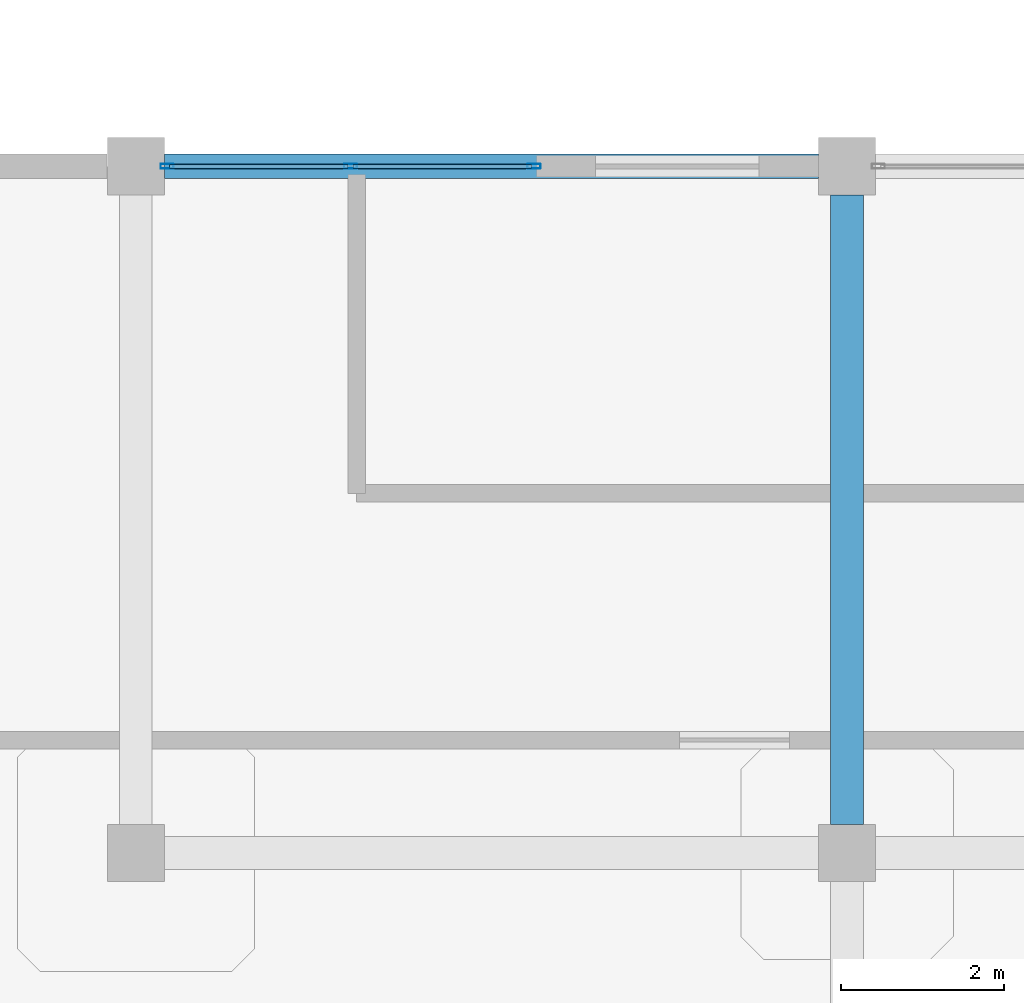
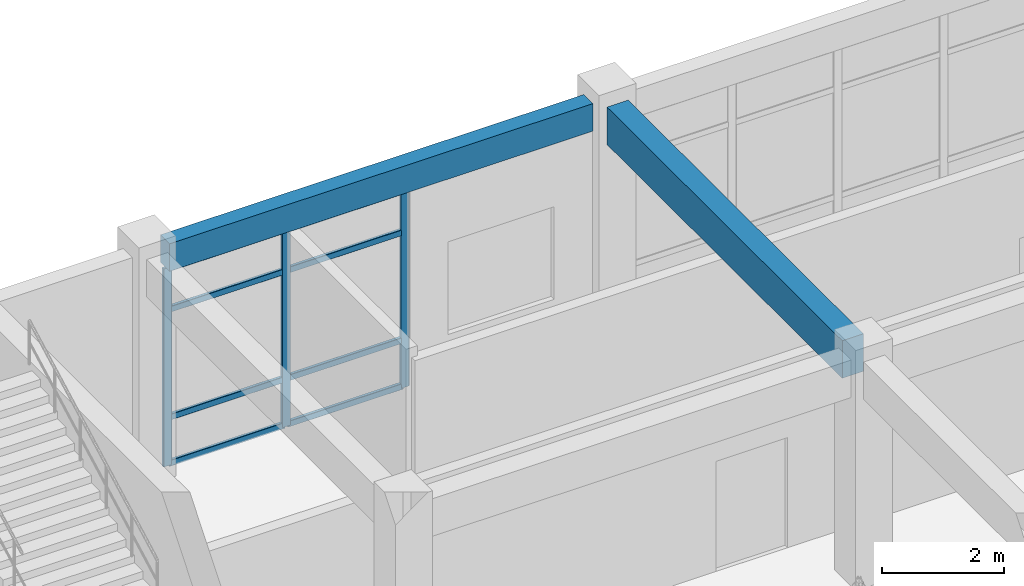
# One storey, part 8 of 64: 11 members, 2 beams, 1 element without a shape of its own.
"""IFC4 building model written with IfcOpenShell, lengths in metres."""

from ifc_helpers import new_model, si_unit, derived_unit, direction, frame, origin, origin_2d, place, context, subcontext, project, spatial, rectangle, hollow_rectangle, extrude, material, layer, layer_set, material_profile, profile_set, type_object, element, aggregate, save


model = new_model("IFC4")

# Units and contexts
model_context = context("Model", 3, precision=1e-05, world=origin(), true_north=direction((0.0, 1.0)))
body_context = subcontext(model_context, "Body", "Model", "MODEL_VIEW")
ifc_project = project(units=[si_unit("LENGTHUNIT", "METRE"), si_unit("AREAUNIT", "SQUARE_METRE"), si_unit("VOLUMEUNIT", "CUBIC_METRE"), si_unit("PLANEANGLEUNIT", "RADIAN"), si_unit("MASSUNIT", "GRAM", prefix="KILO"), derived_unit("THERMALTRANSMITTANCEUNIT", [(si_unit("MASSUNIT", "GRAM", prefix="KILO"), 1), (si_unit("TIMEUNIT", "SECOND"), -3), (si_unit("THERMODYNAMICTEMPERATUREUNIT", "KELVIN"), -1)])], contexts=[model_context])

# Site, building, storey
site_placement = place(None, origin())
site = spatial("IfcSite", under=ifc_project, at=site_placement, CompositionType="ELEMENT")
building_placement = place(site_placement, origin())
building = spatial("IfcBuilding", under=site, at=building_placement, Name="Qinzheling Arcade Emporium", CompositionType="ELEMENT")
storey_placement = place(building_placement, frame((0.0, 0.0, 31.5)))
storey = spatial("IfcBuildingStorey", under=building, at=storey_placement, Name="L07", CompositionType="ELEMENT", Elevation=31.5)

# Curtain wall, members
ifc_material_1 = material(Name="Anodised aluminium and solar-control double glazing", Category="aluminium")
ifc_layer = layer(ifc_material_1, 0.159912109375, Name="Anodised aluminium and solar-control double glazing", Category="aluminium")
ifc_layer_set = layer_set([ifc_layer], Name="Anodised aluminium and solar-control double glazing")
curtain_wall_type = type_object("IfcCurtainWallType", Name="Atrium Clerestory Curtain Wall", PredefinedType="NOTDEFINED", material=ifc_layer_set)
curtain_wall_placement = place(storey_placement, origin())
curtain_wall = element("IfcCurtainWall", 1, at=curtain_wall_placement, inside=storey, type_object=curtain_wall_type, Name="Curtain Wall CW-L07-411", PredefinedType="NOTDEFINED")
ifc_material_2 = material(Name="Anodised aluminium 6063-T6", Category="aluminium")
ifc_material_profile_1 = material_profile(ifc_material_2, hollow_rectangle(XDim=0.06005859375, YDim=0.159912109375, WallThickness=0.00390625, InnerFilletRadius=0.00390625, OuterFilletRadius=0.008056640625, at=origin_2d()), Name="RHS 160x60x4", Category="aluminium")
ifc_profile_set_1 = profile_set([ifc_material_profile_1], Name="Anodised aluminium 6063-T6")
member_type_1 = type_object("IfcMemberType", Name="Curtain Wall Mullion RHS160x60", PredefinedType="MULLION", material=ifc_profile_set_1)
member_1_placement = place(storey_placement, frame((9.08203125, 42.0, 0.0), z_axis=(0.0, 0.0, 1.0), x_axis=(0.0, 1.0, 0.0)))
member_1 = element("IfcMember", 2, at=member_1_placement, type_object=member_type_1, Name="CW03 mullion 1", PredefinedType="MULLION", context=body_context, shape_type="SweptSolid", body=[
    extrude(hollow_rectangle(XDim=0.06005859375, YDim=0.159912109375, WallThickness=0.00390625, InnerFilletRadius=0.00390625, OuterFilletRadius=0.008056640625, at=origin_2d()), origin(), (0.0, 0.0, 1.0), 3.955078125),
])
member_2_placement = place(storey_placement, frame((11.325927734375, 42.0, 0.0), z_axis=(0.0, 0.0, 1.0), x_axis=(0.0, 1.0, 0.0)))
member_2 = element("IfcMember", 3, at=member_2_placement, type_object=member_type_1, Name="CW03 mullion 2", PredefinedType="MULLION", context=body_context, shape_type="SweptSolid", body=[
    extrude(hollow_rectangle(XDim=0.06005859375, YDim=0.159912109375, WallThickness=0.00390625, InnerFilletRadius=0.00390625, OuterFilletRadius=0.008056640625, at=origin_2d()), origin(), (0.0, 0.0, 1.0), 3.955078125),
])
member_3_placement = place(storey_placement, frame((13.570068359375, 42.0, 0.0), z_axis=(0.0, 0.0, 1.0), x_axis=(0.0, 1.0, 0.0)))
member_3 = element("IfcMember", 4, at=member_3_placement, type_object=member_type_1, Name="CW03 mullion 3", PredefinedType="MULLION", context=body_context, shape_type="SweptSolid", body=[
    extrude(hollow_rectangle(XDim=0.06005859375, YDim=0.159912109375, WallThickness=0.00390625, InnerFilletRadius=0.00390625, OuterFilletRadius=0.008056640625, at=origin_2d()), origin(), (0.0, 0.0, 1.0), 3.955078125),
])
ifc_material_profile_2 = material_profile(ifc_material_2, hollow_rectangle(XDim=0.06005859375, YDim=0.1201171875, WallThickness=0.00390625, InnerFilletRadius=0.00390625, OuterFilletRadius=0.008056640625, at=origin_2d()), Name="RHS 120x60x4", Category="aluminium")
ifc_profile_set_2 = profile_set([ifc_material_profile_2], Name="Anodised aluminium 6063-T6")
member_type_2 = type_object("IfcMemberType", Name="Curtain Wall Transom RHS120x60", PredefinedType="USERDEFINED", material=ifc_profile_set_2)
member_4_placement = place(storey_placement, frame((9.112060546875, 42.0, 0.030029296875), z_axis=(1.0, 0.0, 0.0), x_axis=(0.0, 1.0, 0.0)))
member_4 = element("IfcMember", 5, at=member_4_placement, type_object=member_type_2, Name="CW03 transom 1.1", ObjectType="TRANSOM", PredefinedType="USERDEFINED", context=body_context, shape_type="SweptSolid", body=[
    extrude(hollow_rectangle(XDim=0.06005859375, YDim=0.1201171875, WallThickness=0.00390625, InnerFilletRadius=0.00390625, OuterFilletRadius=0.008056640625, at=origin_2d()), origin(), (0.0, 0.0, 1.0), 2.183837890625),
])
member_5_placement = place(storey_placement, frame((9.112060546875, 42.0, 0.949951171875), z_axis=(1.0, 0.0, 0.0), x_axis=(0.0, 1.0, 0.0)))
member_5 = element("IfcMember", 6, at=member_5_placement, type_object=member_type_2, Name="CW03 transom 1.2", ObjectType="TRANSOM", PredefinedType="USERDEFINED", context=body_context, shape_type="SweptSolid", body=[
    extrude(hollow_rectangle(XDim=0.06005859375, YDim=0.1201171875, WallThickness=0.00390625, InnerFilletRadius=0.00390625, OuterFilletRadius=0.008056640625, at=origin_2d()), origin(), (0.0, 0.0, 1.0), 2.183837890625),
])
member_6_placement = place(storey_placement, frame((9.112060546875, 42.0, 3.10498046875), z_axis=(1.0, 0.0, 0.0), x_axis=(0.0, 1.0, 0.0)))
member_6 = element("IfcMember", 7, at=member_6_placement, type_object=member_type_2, Name="CW03 transom 1.3", ObjectType="TRANSOM", PredefinedType="USERDEFINED", context=body_context, shape_type="SweptSolid", body=[
    extrude(hollow_rectangle(XDim=0.06005859375, YDim=0.1201171875, WallThickness=0.00390625, InnerFilletRadius=0.00390625, OuterFilletRadius=0.008056640625, at=origin_2d()), origin(), (0.0, 0.0, 1.0), 2.183837890625),
])
member_7_placement = place(storey_placement, frame((9.112060546875, 42.0, 3.925048828125), z_axis=(1.0, 0.0, 0.0), x_axis=(0.0, 1.0, 0.0)))
member_7 = element("IfcMember", 8, at=member_7_placement, type_object=member_type_2, Name="CW03 transom 1.4", ObjectType="TRANSOM", PredefinedType="USERDEFINED", context=body_context, shape_type="SweptSolid", body=[
    extrude(hollow_rectangle(XDim=0.06005859375, YDim=0.1201171875, WallThickness=0.00390625, InnerFilletRadius=0.00390625, OuterFilletRadius=0.008056640625, at=origin_2d()), origin(), (0.0, 0.0, 1.0), 2.183837890625),
])
member_8_placement = place(storey_placement, frame((11.35595703125, 42.0, 0.030029296875), z_axis=(1.0, 0.0, 0.0), x_axis=(0.0, 1.0, 0.0)))
member_8 = element("IfcMember", 9, at=member_8_placement, type_object=member_type_2, Name="CW03 transom 2.1", ObjectType="TRANSOM", PredefinedType="USERDEFINED", context=body_context, shape_type="SweptSolid", body=[
    extrude(hollow_rectangle(XDim=0.06005859375, YDim=0.1201171875, WallThickness=0.00390625, InnerFilletRadius=0.00390625, OuterFilletRadius=0.008056640625, at=origin_2d()), origin(), (0.0, 0.0, 1.0), 2.18408203125),
])
member_9_placement = place(storey_placement, frame((11.35595703125, 42.0, 0.949951171875), z_axis=(1.0, 0.0, 0.0), x_axis=(0.0, 1.0, 0.0)))
member_9 = element("IfcMember", 10, at=member_9_placement, type_object=member_type_2, Name="CW03 transom 2.2", ObjectType="TRANSOM", PredefinedType="USERDEFINED", context=body_context, shape_type="SweptSolid", body=[
    extrude(hollow_rectangle(XDim=0.06005859375, YDim=0.1201171875, WallThickness=0.00390625, InnerFilletRadius=0.00390625, OuterFilletRadius=0.008056640625, at=origin_2d()), origin(), (0.0, 0.0, 1.0), 2.18408203125),
])
member_10_placement = place(storey_placement, frame((11.35595703125, 42.0, 3.10498046875), z_axis=(1.0, 0.0, 0.0), x_axis=(0.0, 1.0, 0.0)))
member_10 = element("IfcMember", 11, at=member_10_placement, type_object=member_type_2, Name="CW03 transom 2.3", ObjectType="TRANSOM", PredefinedType="USERDEFINED", context=body_context, shape_type="SweptSolid", body=[
    extrude(hollow_rectangle(XDim=0.06005859375, YDim=0.1201171875, WallThickness=0.00390625, InnerFilletRadius=0.00390625, OuterFilletRadius=0.008056640625, at=origin_2d()), origin(), (0.0, 0.0, 1.0), 2.18408203125),
])
member_11_placement = place(storey_placement, frame((11.35595703125, 42.0, 3.925048828125), z_axis=(1.0, 0.0, 0.0), x_axis=(0.0, 1.0, 0.0)))
member_11 = element("IfcMember", 12, at=member_11_placement, type_object=member_type_2, Name="CW03 transom 2.4", ObjectType="TRANSOM", PredefinedType="USERDEFINED", context=body_context, shape_type="SweptSolid", body=[
    extrude(hollow_rectangle(XDim=0.06005859375, YDim=0.1201171875, WallThickness=0.00390625, InnerFilletRadius=0.00390625, OuterFilletRadius=0.008056640625, at=origin_2d()), origin(), (0.0, 0.0, 1.0), 2.18408203125),
])
aggregate(curtain_wall, [member_1, member_2, member_3, member_4, member_5, member_6, member_7, member_8, member_9, member_10, member_11])

# Beams
ifc_material_3 = material(Name="Concrete C40", Category="concrete")
ifc_material_profile_3 = material_profile(ifc_material_3, rectangle(XDim=0.39990234375, YDim=0.75, at=origin_2d()), Name="RC 400x750", Category="concrete")
ifc_profile_set_3 = profile_set([ifc_material_profile_3], Name="Concrete C40")
beam_type_1 = type_object("IfcBeamType", Name="RC Interior Tie Beam 400x750 C40", PredefinedType="BEAM", material=ifc_profile_set_3)
beam_1_placement = place(storey_placement, frame((17.39990234375, 33.949951171875, 4.14501953125), z_axis=(0.0, 1.0, 0.0), x_axis=(-1.0, 0.0, 0.0)))
element("IfcBeam", 13, at=beam_1_placement, inside=storey, type_object=beam_type_1, Name="Beam BM-L07-Y-3-E", PredefinedType="BEAM", context=body_context, shape_type="SweptSolid", body=[
    extrude(rectangle(XDim=0.39990234375, YDim=0.75, at=origin_2d()), origin(), (0.0, 0.0, 1.0), 7.699951171875),
])
ifc_material_profile_4 = material_profile(ifc_material_3, rectangle(XDim=0.300048828125, YDim=0.550048828125, at=origin_2d()), Name="RC 300x550", Category="concrete")
ifc_profile_set_4 = profile_set([ifc_material_profile_4], Name="Concrete C40")
beam_type_2 = type_object("IfcBeamType", Name="RC Terrace Spandrel Beam 300x550 C40", PredefinedType="SPANDREL", material=ifc_profile_set_4)
beam_2_placement = place(storey_placement, frame((9.050048828125, 42.0, 4.2451171875), z_axis=(1.0, 0.0, 0.0), x_axis=(0.0, 1.0, 0.0)))
element("IfcBeam", 14, at=beam_2_placement, inside=storey, type_object=beam_type_2, Name="Beam BM-L07-X-F-2", PredefinedType="SPANDREL", context=body_context, shape_type="SweptSolid", body=[
    extrude(rectangle(XDim=0.300048828125, YDim=0.550048828125, at=origin_2d()), origin(), (0.0, 0.0, 1.0), 8.0),
])

save(model, "model.ifc")
